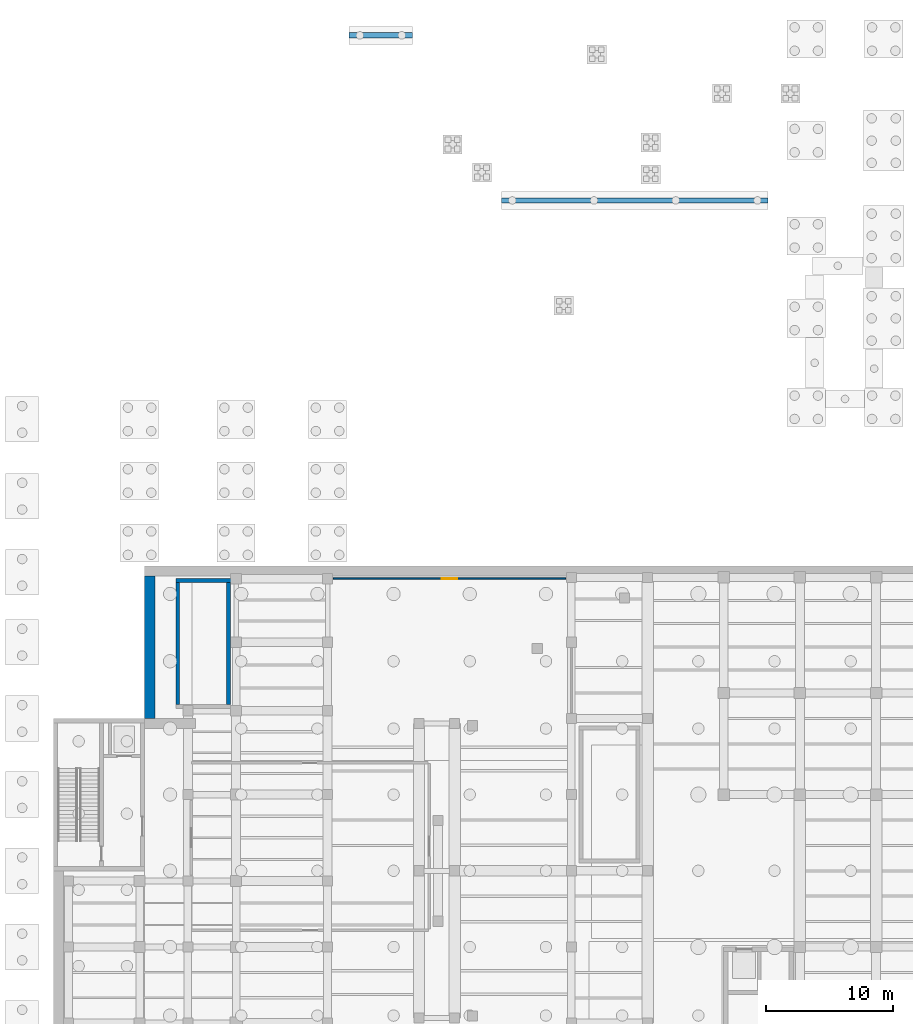
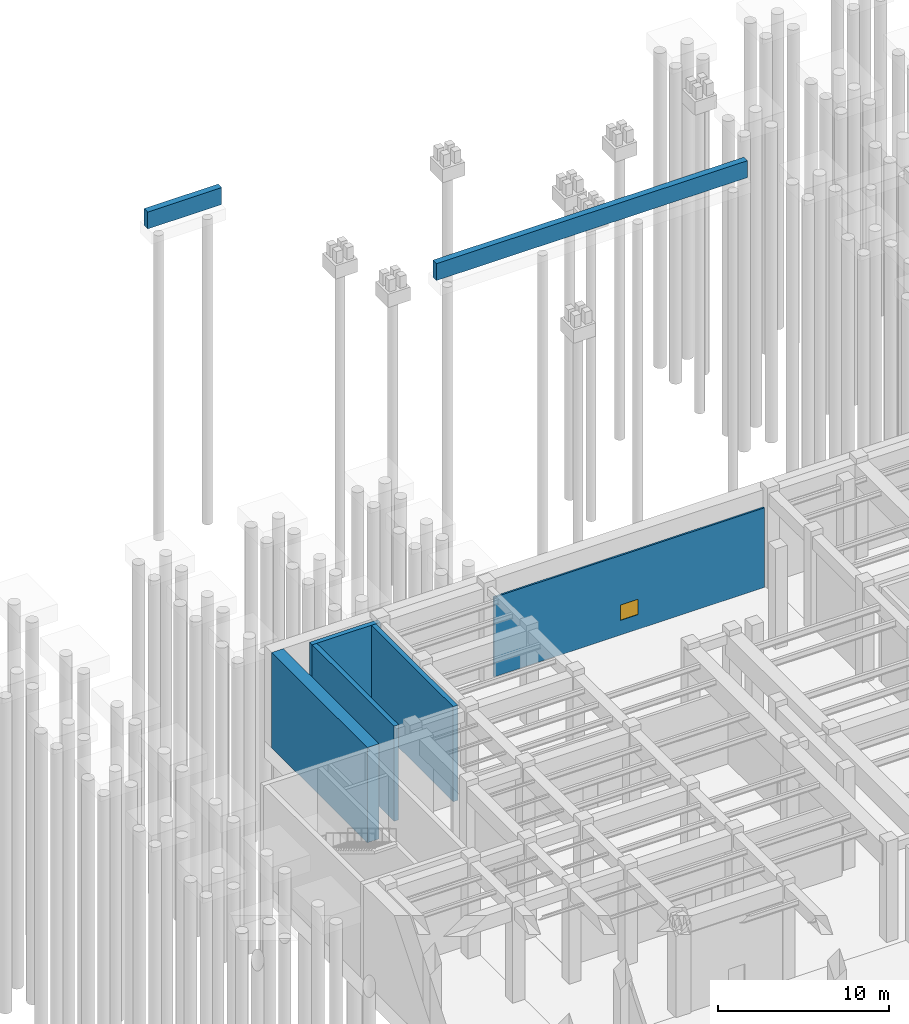
# One storey, part 17 of 30: 7 walls, 1 window, 1 opening.
"""IFC4 building model written with IfcOpenShell, lengths in metres."""

from ifc_helpers import new_model, si_unit, direction, frame, frame_2d, origin, place, context, subcontext, project, spatial, rectangle, extrude, material, layer, layer_set, type_object, element, fill, save


model = new_model("IFC4")

# Units and contexts
model_context = context("Model", 3, precision=1e-05, world=origin(), true_north=direction((0.0, 1.0)))
body_context = subcontext(model_context, "Body", "Model", "MODEL_VIEW")
ifc_project = project(units=[si_unit("LENGTHUNIT", "METRE"), si_unit("AREAUNIT", "SQUARE_METRE"), si_unit("VOLUMEUNIT", "CUBIC_METRE"), si_unit("PLANEANGLEUNIT", "RADIAN"), si_unit("MASSUNIT", "GRAM", prefix="KILO")], contexts=[model_context])

# Site, building, storey
site_placement = place(None, origin())
site = spatial("IfcSite", under=ifc_project, at=site_placement, CompositionType="ELEMENT")
building_placement = place(site_placement, origin())
building = spatial("IfcBuilding", under=site, at=building_placement, Name="Kolvaren Corner Interchange", CompositionType="ELEMENT")
storey_placement = place(building_placement, frame((0.0, 0.0, -7.199951171875)))
storey = spatial("IfcBuildingStorey", under=building, at=storey_placement, Name="B1", CompositionType="ELEMENT", Elevation=-7.199951171875)

# Walls
ifc_material_1 = material(Name="Concrete C40/50", Category="concrete")
ifc_layer_1 = layer(ifc_material_1, 0.800048828125)
ifc_layer_set_1 = layer_set([ifc_layer_1], Name="Concrete C40/50")
wall_type_1 = type_object("IfcWallType", Name="WL-METRO-800", PredefinedType="SHEAR", material=ifc_layer_set_1)
wall_1_placement = place(storey_placement, frame((14.800048828125, 60.0, 0.0), z_axis=(0.0, 0.0, 1.0), x_axis=(0.0, 1.0, 0.0)))
element("IfcWall", 1, at=wall_1_placement, inside=storey, type_object=wall_type_1, Name="Metro Station Northwest Diaphragm Wall", PredefinedType="SHEAR", context=body_context, shape_type="SweptSolid", body=[
    extrude(rectangle(XDim=11.199951171875, YDim=0.800048828125, at=frame_2d((5.60009765625, 0.0))), origin(), (0.0, 0.0, 1.0), 6.800048828125),
])
ifc_material_2 = material(Name="Concrete C40/50", Category="concrete")
ifc_layer_2 = layer(ifc_material_2, 0.419921875)
ifc_layer_set_2 = layer_set([ifc_layer_2], Name="Concrete C40/50")
wall_type_2 = type_object("IfcWallType", Name="WL-RET-400", PredefinedType="USERDEFINED", material=ifc_layer_set_2)
wall_2_placement = place(storey_placement, frame((30.5, 113.7900390625, 5.699951171875), z_axis=(0.0, 0.0, 1.0), x_axis=(1.0, 0.0, 0.0)))
element("IfcWall", 2, at=wall_2_placement, inside=storey, type_object=wall_type_2, Name="Northwest Rain Court Plinth Retaining Wall", ObjectType="RETAINING WALL", PredefinedType="USERDEFINED", context=body_context, shape_type="SweptSolid", body=[
    extrude(rectangle(XDim=5.0, YDim=0.419921875, at=frame_2d((2.5, 0.0))), origin(), (0.0, 0.0, 1.0), 1.2099609375),
])
wall_3_placement = place(storey_placement, frame((42.5, 100.7900390625, 5.699951171875), z_axis=(0.0, 0.0, 1.0), x_axis=(1.0, 0.0, 0.0)))
element("IfcWall", 3, at=wall_3_placement, inside=storey, type_object=wall_type_2, Name="Northwest Cycle Ramp Plinth Retaining Wall", ObjectType="RETAINING WALL", PredefinedType="USERDEFINED", context=body_context, shape_type="SweptSolid", body=[
    extrude(rectangle(XDim=21.0, YDim=0.419921875, at=frame_2d((10.5, 0.0))), origin(), (0.0, 0.0, 1.0), 1.2099609375),
])
ifc_material_3 = material(Name="Concrete C35/45", Category="concrete")
ifc_layer_3 = layer(ifc_material_3, 0.31005859375)
ifc_layer_set_3 = layer_set([ifc_layer_3], Name="Concrete C35/45")
wall_type_3 = type_object("IfcWallType", Name="WL-STAIR-300", PredefinedType="SHEAR", material=ifc_layer_set_3)
wall_4_placement = place(storey_placement, frame((16.85009765625, 70.844970703125, 0.0), z_axis=(0.0, 0.0, 1.0), x_axis=(1.0, 0.0, 0.0)))
element("IfcWall", 4, at=wall_4_placement, inside=storey, type_object=wall_type_3, Name="Operations North Wing Protected Exit Stair B1 Foundation Shaft North Wall", PredefinedType="SHEAR", context=body_context, shape_type="SweptSolid", body=[
    extrude(rectangle(XDim=4.599853515625, YDim=0.31005859375, at=frame_2d((2.2998046875, 0.0))), origin(), (0.0, 0.0, 1.0), 6.800048828125),
])
for number, where, z_axis, x_axis, name in (
    (5, (17.0048828125, 61.110107421875, 0.0), (0.0, 0.0, 1.0), (0.0, 1.0, 0.0), "Operations North Wing Protected Exit Stair B1 Foundation Shaft West Wall"),
    (6, (20.9951171875, 61.110107421875, 0.0), (0.0, 0.0, 1.0), (0.0, 1.0, 0.0), "Operations North Wing Protected Exit Stair B1 Foundation Shaft East Wall"),
):
    element("IfcWall", number, at=place(storey_placement, frame(where, z_axis=z_axis, x_axis=x_axis)), inside=storey, type_object=wall_type_3, Name=name, PredefinedType="SHEAR", context=body_context, shape_type="SweptSolid", body=[
        extrude(rectangle(XDim=9.579833984375, YDim=0.31005859375, at=frame_2d((4.7900390625, 0.0))), origin(), (0.0, 0.0, 1.0), 6.800048828125),
    ])

# Wall, opening, window
ifc_material_4 = material(Name="Standard Metal-Stud Drywall Partition")
ifc_layer_4 = layer(ifc_material_4, 0.1201171875)
ifc_layer_set_4 = layer_set([ifc_layer_4], Name="Standard Metal-Stud Drywall Partition")
wall_type_4 = type_object("IfcWallType", Name="WT-PART-ST125", PredefinedType="PARTITIONING", material=ifc_layer_set_4)
wall_5_placement = place(storey_placement, frame((47.5400390625, 71.0, 0.0), z_axis=(0.0, 0.0, 1.0), x_axis=(-1.0, 0.0, 0.0)))
wall_5 = element("IfcWall", 7, at=wall_5_placement, inside=storey, type_object=wall_type_4, Name="B1 Signalling Equipment Room Partition Wall 010", PredefinedType="PARTITIONING", context=body_context, shape_type="SweptSolid", body=[
    extrude(rectangle(XDim=18.280029296875, YDim=0.1201171875, at=frame_2d((9.14013671875, 0.0))), origin(), (0.0, 0.0, 1.0), 5.68505859375),
])
opening_placement = place(wall_5_placement, frame((8.5400390625, 0.0, 1.050048828125)))
opening = element("IfcOpeningElement", 8, at=opening_placement, cuts=wall_5, Name="Opening W-I04", PredefinedType="OPENING", context=body_context, shape_type="SweptSolid", body=[
    extrude(rectangle(XDim=1.199951171875, YDim=1.10009765625, at=frame_2d((0.60009765625, 0.550048828125))), frame((0.0, 0.070068359375, 0.0), z_axis=(0.0, -1.0, 0.0), x_axis=(1.0, 0.0, 0.0)), (0.0, 0.0, 1.0), 0.14013671875),
])
ifc_material_5 = material(Name="Acoustic Partition Vision Panel")
window_type = type_object("IfcWindowType", Name="WT-INT-1200x1100", PartitioningType="SINGLE_PANEL", PredefinedType="WINDOW", material=ifc_material_5)
window_placement = place(opening_placement, origin())
window = element("IfcWindow", 9, at=window_placement, inside=storey, type_object=window_type, Name="B1 Interior Vision Glazing 06", OverallHeight=1.10009765625, OverallWidth=1.199951171875, PartitioningType="SINGLE_PANEL", PredefinedType="WINDOW", context=body_context, shape_type="SweptSolid", body=[
    extrude(rectangle(XDim=1.199951171875, YDim=1.10009765625, at=frame_2d((0.60009765625, 0.550048828125))), frame((0.0, 0.030029296875, 0.0), z_axis=(0.0, -1.0, 0.0), x_axis=(1.0, 0.0, 0.0)), (0.0, 0.0, 1.0), 0.06005859375),
])
fill(opening, window)

save(model, "model.ifc")
